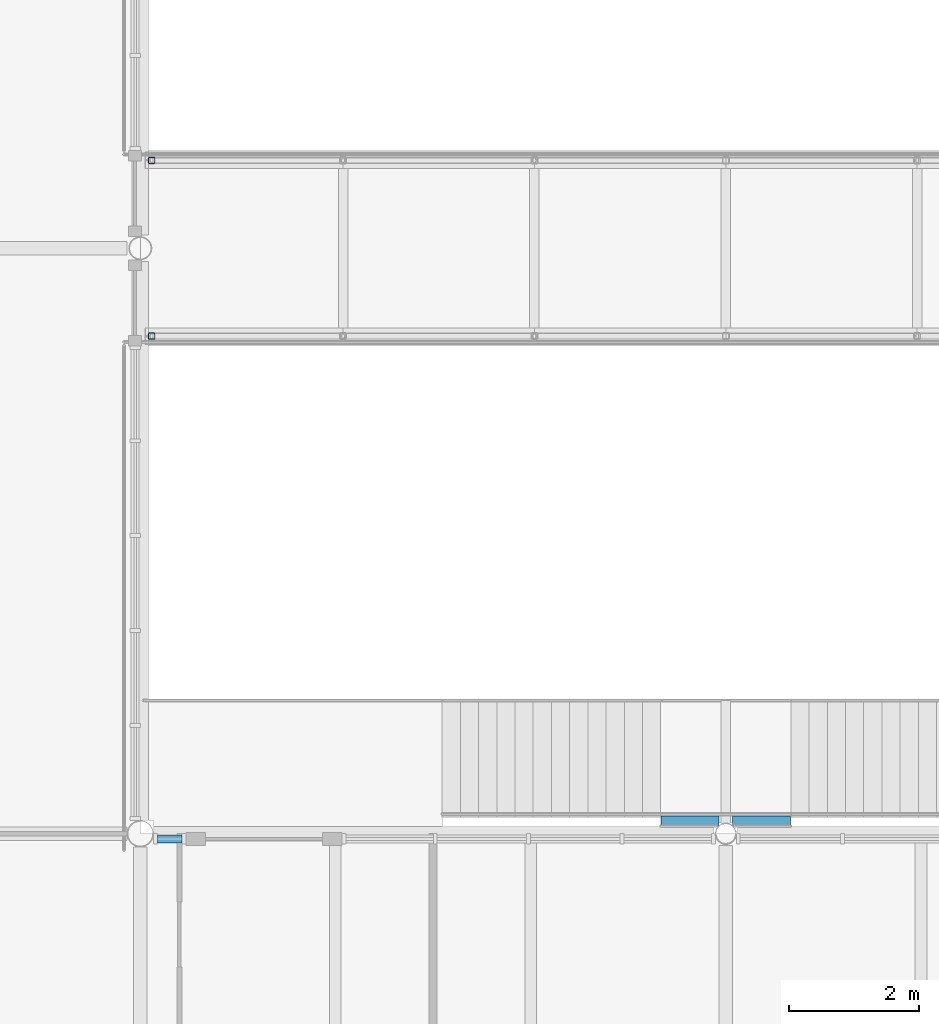
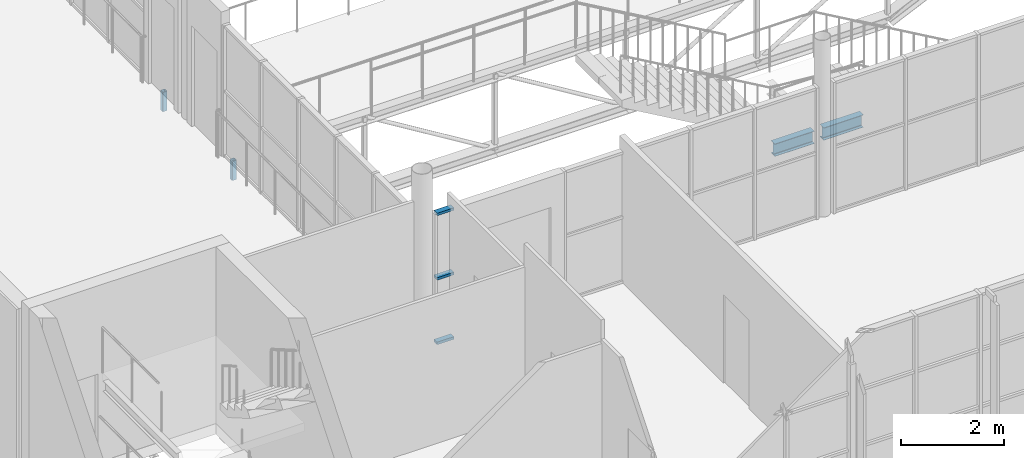
# One storey, part 32 of 61: 5 members, 2 beams, 1 element without a shape of its own.
"""IFC4 building model written with IfcOpenShell, lengths in metres."""

from ifc_helpers import new_model, si_unit, direction, frame, origin, origin_2d, place, context, subcontext, project, spatial, rectangle, hollow_rectangle, i_section, extrude, material, layer, layer_set, material_profile, profile_set, type_object, element, aggregate, save


model = new_model("IFC4")

# Units and contexts
model_context = context("Model", 3, precision=1e-05, world=origin(), true_north=direction((0.0, 1.0)))
body_context = subcontext(model_context, "Body", "Model", "MODEL_VIEW")
ifc_project = project(units=[si_unit("LENGTHUNIT", "METRE"), si_unit("AREAUNIT", "SQUARE_METRE"), si_unit("VOLUMEUNIT", "CUBIC_METRE"), si_unit("PLANEANGLEUNIT", "RADIAN"), si_unit("MASSUNIT", "GRAM", prefix="KILO")], contexts=[model_context])

# Site, building, storey
site_placement = place(None, origin())
site = spatial("IfcSite", under=ifc_project, at=site_placement, CompositionType="ELEMENT")
building_placement = place(site_placement, origin())
building = spatial("IfcBuilding", under=site, at=building_placement, Name="Halyard Row Museum", CompositionType="ELEMENT")
storey_placement = place(building_placement, frame((0.0, 0.0, 9.199951171875)))
storey = spatial("IfcBuildingStorey", under=building, at=storey_placement, Name="L02", CompositionType="ELEMENT", Elevation=9.199951171875)

# Curtain wall, members
ifc_material_1 = material(Name="Fire-resisting laminated glazing", Category="glass")
ifc_layer = layer(ifc_material_1, 0.159912109375)
ifc_layer_set = layer_set([ifc_layer], Name="Fire-resisting laminated glazing")
curtain_wall_type = type_object("IfcCurtainWallType", Name="Curtain wall atrium screen 160 deep", PredefinedType="NOTDEFINED", material=ifc_layer_set)
curtain_wall_placement = place(storey_placement, origin())
curtain_wall = element("IfcCurtainWall", 1, at=curtain_wall_placement, inside=storey, type_object=curtain_wall_type, Name="Curtain wall CW084", PredefinedType="NOTDEFINED")
ifc_material_2 = material(Name="Powder-coated aluminium section", Category="aluminium")
ifc_material_profile_1 = material_profile(ifc_material_2, rectangle(XDim=0.1201171875, YDim=0.06005859375, at=origin_2d()), Name="120x60 transom")
ifc_profile_set_1 = profile_set([ifc_material_profile_1], Name="Powder-coated aluminium section")
member_type_1 = type_object("IfcMemberType", Name="Curtain wall transom CT5 60 x 120", PredefinedType="USERDEFINED", material=ifc_profile_set_1)
member_1_placement = place(storey_placement, frame((81.26318359375, 8.919921875, 0.030029296875), z_axis=(1.0, 0.0, 0.0), x_axis=(0.0, 1.0, 0.0)))
member_1 = element("IfcMember", 2, at=member_1_placement, type_object=member_type_1, Name="CW084 transom 1.1", ObjectType="TRANSOM", PredefinedType="USERDEFINED", context=body_context, shape_type="SweptSolid", body=[
    extrude(rectangle(XDim=0.1201171875, YDim=0.06005859375, at=origin_2d()), origin(), (0.0, 0.0, 1.0), 0.376708984375),
])
member_2_placement = place(storey_placement, frame((81.26318359375, 8.919921875, 1.562255859375), z_axis=(1.0, 0.0, 0.0), x_axis=(0.0, 1.0, 0.0)))
member_2 = element("IfcMember", 3, at=member_2_placement, type_object=member_type_1, Name="CW084 transom 1.2", ObjectType="TRANSOM", PredefinedType="USERDEFINED", context=body_context, shape_type="SweptSolid", body=[
    extrude(rectangle(XDim=0.1201171875, YDim=0.06005859375, at=origin_2d()), origin(), (0.0, 0.0, 1.0), 0.376708984375),
])
member_3_placement = place(storey_placement, frame((81.26318359375, 8.919921875, 3.094482421875), z_axis=(1.0, 0.0, 0.0), x_axis=(0.0, 1.0, 0.0)))
member_3 = element("IfcMember", 4, at=member_3_placement, type_object=member_type_1, Name="CW084 transom 1.3", ObjectType="TRANSOM", PredefinedType="USERDEFINED", context=body_context, shape_type="SweptSolid", body=[
    extrude(rectangle(XDim=0.1201171875, YDim=0.06005859375, at=origin_2d()), origin(), (0.0, 0.0, 1.0), 0.376708984375),
])
aggregate(curtain_wall, [member_1, member_2, member_3])

# Beams
ifc_material_3 = material(Name="Steel Grade 300", Category="steel")
ifc_material_profile_2 = material_profile(ifc_material_3, i_section(OverallWidth=0.14892578125, OverallDepth=0.298095703125, WebThickness=0.005615234375, FlangeThickness=0.008056640625, FilletRadius=0.012939453125, at=origin_2d()), Name="310UB32.0")
ifc_profile_set_2 = profile_set([ifc_material_profile_2], Name="Steel Grade 300")
beam_type = type_object("IfcBeamType", Name="Landing bracket 310UB32.0", PredefinedType="BEAM", material=ifc_profile_set_2)
for number, where, z_axis, x_axis, name in (
    (5, (89.0048828125, 9.194580078125, 1.7509765625), (1.0, 0.0, 0.0), (0.0, 1.0, 0.0), "Feature stair landing side bracket L02 w"),
    (6, (90.9951171875, 9.194580078125, 1.7509765625), (-1.0, 0.0, 0.0), (0.0, -1.0, 0.0), "Feature stair landing side bracket L02 e"),
):
    element("IfcBeam", number, at=place(storey_placement, frame(where, z_axis=z_axis, x_axis=x_axis)), inside=storey, type_object=beam_type, Name=name, PredefinedType="BEAM", context=body_context, shape_type="SweptSolid", body=[
        extrude(i_section(OverallWidth=0.14892578125, OverallDepth=0.298095703125, WebThickness=0.005615234375, FlangeThickness=0.008056640625, FilletRadius=0.012939453125, at=origin_2d()), origin(), (0.0, 0.0, 1.0), 0.889404296875),
    ])

# Members
ifc_material_4 = material(Name="Steel Grade C350L0", Category="steel")
ifc_material_profile_3 = material_profile(ifc_material_4, hollow_rectangle(XDim=0.10009765625, YDim=0.10009765625, WallThickness=0.006103515625, InnerFilletRadius=0.009033203125, OuterFilletRadius=0.014892578125, at=origin_2d()), Name="100x100x6.0SHS")
ifc_profile_set_3 = profile_set([ifc_material_profile_3], Name="Steel Grade C350L0")
member_type_2 = type_object("IfcMemberType", Name="Truss post 100x100x6.0SHS", PredefinedType="POST", material=ifc_profile_set_3)
for number, where, z_axis, x_axis, name in (
    (7, (81.175048828125, 16.64990234375, -0.750732421875), (0.0, 0.0, 1.0), (1.0, 0.0, 0.0), "BT1S post 1"),
    (8, (81.175048828125, 19.35009765625, -0.750732421875), (0.0, 0.0, 1.0), (1.0, 0.0, 0.0), "BT1N post 1"),
):
    element("IfcMember", number, at=place(storey_placement, frame(where, z_axis=z_axis, x_axis=x_axis)), inside=storey, type_object=member_type_2, Name=name, PredefinedType="POST", context=body_context, shape_type="SweptSolid", body=[
        extrude(hollow_rectangle(XDim=0.10009765625, YDim=0.10009765625, WallThickness=0.006103515625, InnerFilletRadius=0.009033203125, OuterFilletRadius=0.014892578125, at=origin_2d()), origin(), (0.0, 0.0, 1.0), 0.458984375),
    ])

save(model, "model.ifc")
